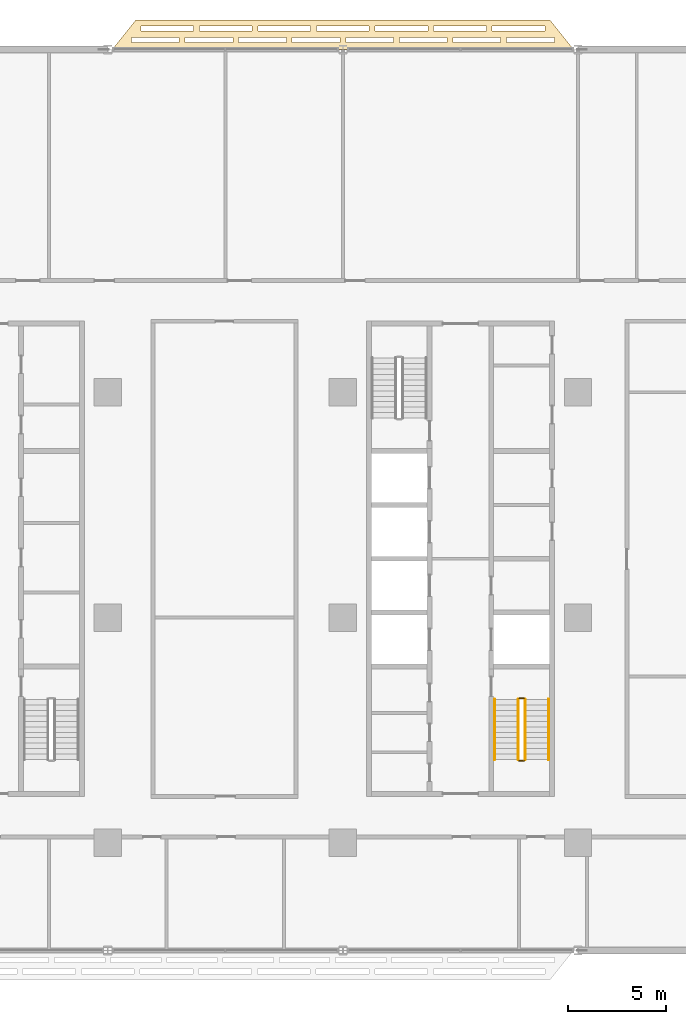
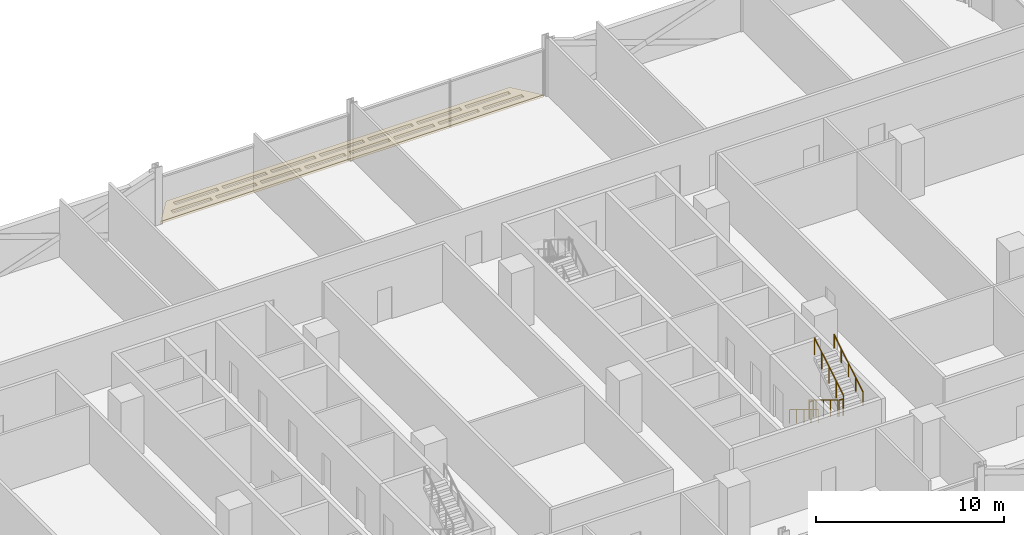
# One storey, part 28 of 29: 6 railings, 1 covering.
"""IFC4 building model written with IfcOpenShell, lengths in metres."""

from ifc_helpers import new_model, si_unit, direction, frame, origin, origin_2d, place, context, subcontext, project, spatial, polyline, circle, outline, extrude, material, layer, layer_set, type_object, element, save


model = new_model("IFC4")

# Units and contexts
model_context = context("Model", 3, precision=1e-05, world=origin(), true_north=direction((0.0, 1.0)))
body_context = subcontext(model_context, "Body", "Model", "MODEL_VIEW")
ifc_project = project(units=[si_unit("LENGTHUNIT", "METRE"), si_unit("AREAUNIT", "SQUARE_METRE"), si_unit("VOLUMEUNIT", "CUBIC_METRE"), si_unit("PLANEANGLEUNIT", "RADIAN"), si_unit("MASSUNIT", "GRAM", prefix="KILO")], contexts=[model_context])

# Site, building, storey
site_placement = place(None, origin())
site = spatial("IfcSite", under=ifc_project, at=site_placement, CompositionType="ELEMENT")
building_placement = place(site_placement, origin())
building = spatial("IfcBuilding", under=site, at=building_placement, Name="Mahtab Terrace Research Tower", CompositionType="ELEMENT")
storey_placement = place(building_placement, frame((0.0, 0.0, 93.0)))
storey = spatial("IfcBuildingStorey", under=building, at=storey_placement, Name="L21", CompositionType="ELEMENT", Elevation=93.0)

# Covering
ifc_material_1 = material(Name="Black anodised aluminium", Category="aluminium")
ifc_layer = layer(ifc_material_1, 0.14990234375)
ifc_layer_set = layer_set([ifc_layer], Name="Horizontal sunshade band")
covering_type = type_object("IfcCoveringType", Name="Horizontal sunshade band", PredefinedType="CLADDING", material=ifc_layer_set)
covering_placement = place(storey_placement, frame((0.0, 0.0, -0.14990234375)))
element("IfcCovering", 1, at=covering_placement, inside=storey, type_object=covering_type, Name="Sunshade band L21 5", PredefinedType="CLADDING", context=body_context, shape_type="SweptSolid", body=[
    extrude(outline(polyline([(29.77197265625, 29.0), (6.22802734375, 29.0), (7.427978515625, 30.5), (28.572021484375, 30.5), (29.77197265625, 29.0)]), holes=[polyline([(28.7919921875, 29.35009765625), (26.35595703125, 29.35009765625), (26.35595703125, 29.60009765625), (28.7919921875, 29.60009765625), (28.7919921875, 29.35009765625)]), polyline([(26.055908203125, 29.35009765625), (23.62109375, 29.35009765625), (23.62109375, 29.60009765625), (26.055908203125, 29.60009765625), (26.055908203125, 29.35009765625)]), polyline([(23.321044921875, 29.35009765625), (20.885009765625, 29.35009765625), (20.885009765625, 29.60009765625), (23.321044921875, 29.60009765625), (23.321044921875, 29.35009765625)]), polyline([(20.5849609375, 29.35009765625), (18.14990234375, 29.35009765625), (18.14990234375, 29.60009765625), (20.5849609375, 29.60009765625), (20.5849609375, 29.35009765625)]), polyline([(17.85009765625, 29.35009765625), (15.4150390625, 29.35009765625), (15.4150390625, 29.60009765625), (17.85009765625, 29.60009765625), (17.85009765625, 29.35009765625)]), polyline([(15.114013671875, 29.35009765625), (12.678955078125, 29.35009765625), (12.678955078125, 29.60009765625), (15.114013671875, 29.60009765625), (15.114013671875, 29.35009765625)]), polyline([(12.37890625, 29.35009765625), (9.944091796875, 29.35009765625), (9.944091796875, 29.60009765625), (12.37890625, 29.60009765625), (12.37890625, 29.35009765625)]), polyline([(9.64404296875, 29.35009765625), (7.2080078125, 29.35009765625), (7.2080078125, 29.60009765625), (9.64404296875, 29.60009765625), (9.64404296875, 29.35009765625)]), polyline([(28.31201171875, 29.949951171875), (25.623046875, 29.949951171875), (25.623046875, 30.199951171875), (28.31201171875, 30.199951171875), (28.31201171875, 29.949951171875)]), polyline([(25.322998046875, 29.949951171875), (22.634033203125, 29.949951171875), (22.634033203125, 30.199951171875), (25.322998046875, 30.199951171875), (25.322998046875, 29.949951171875)]), polyline([(22.333984375, 29.949951171875), (19.64501953125, 29.949951171875), (19.64501953125, 30.199951171875), (22.333984375, 30.199951171875), (22.333984375, 29.949951171875)]), polyline([(19.344970703125, 29.949951171875), (16.655029296875, 29.949951171875), (16.655029296875, 30.199951171875), (19.344970703125, 30.199951171875), (19.344970703125, 29.949951171875)]), polyline([(16.35498046875, 29.949951171875), (13.666015625, 29.949951171875), (13.666015625, 30.199951171875), (16.35498046875, 30.199951171875), (16.35498046875, 29.949951171875)]), polyline([(13.365966796875, 29.949951171875), (10.677001953125, 29.949951171875), (10.677001953125, 30.199951171875), (13.365966796875, 30.199951171875), (13.365966796875, 29.949951171875)]), polyline([(10.376953125, 29.949951171875), (7.68798828125, 29.949951171875), (7.68798828125, 30.199951171875), (10.376953125, 30.199951171875), (10.376953125, 29.949951171875)])]), origin(), (0.0, 0.0, 1.0), 0.14990234375),
])

# Railings
ifc_material_2 = material(Name="Stainless steel AISI 304", Category="steel")
railing_type_1 = type_object("IfcRailingType", Name="Stair guard 1100", PredefinedType="GUARDRAIL", material=ifc_material_2)
railing_1_placement = place(storey_placement, frame((26.949951171875, -4.175048828125, 0.1708984375)))
element("IfcRailing", 2, at=railing_1_placement, inside=storey, type_object=railing_type_1, Name="L21 ST4 stair guard 1", PredefinedType="GUARDRAIL", context=body_context, shape_type="SweptSolid", body=[
    extrude(circle(Radius=0.02392578125, at=origin_2d()), frame((0.0, 0.0, 1.076171875), z_axis=(0.0, -0.853647949592, 0.520850437417), x_axis=(1.0, 0.0, 0.0)), (0.0, 0.0, 1.0), 3.60791015625),
    extrude(circle(Radius=0.02099609375, at=origin_2d()), origin(), (0.0, 0.0, 1.0), 1.052001953125),
    extrude(circle(Radius=0.02099609375, at=origin_2d()), frame((0.0, -0.77001953125, 0.4697265625)), (0.0, 0.0, 1.0), 1.052001953125),
    extrude(circle(Radius=0.02099609375, at=origin_2d()), frame((0.0, -1.5400390625, 0.939453125)), (0.0, 0.0, 1.0), 1.052001953125),
    extrude(circle(Radius=0.02099609375, at=origin_2d()), frame((0.0, -2.309814453125, 1.409423828125)), (0.0, 0.0, 1.0), 1.052001953125),
    extrude(circle(Radius=0.02099609375, at=origin_2d()), frame((0.0, -3.079833984375, 1.879150390625)), (0.0, 0.0, 1.0), 1.052001953125),
])
railing_2_placement = place(storey_placement, frame((27.0, -7.304931640625, 2.050048828125)))
element("IfcRailing", 3, at=railing_2_placement, inside=storey, type_object=railing_type_1, Name="L21 ST4 stair guard 2", PredefinedType="GUARDRAIL", context=body_context, shape_type="SweptSolid", body=[
    extrude(circle(Radius=0.02392578125, at=origin_2d()), frame((0.0, 0.0, 1.076171875), z_axis=(1.0, 0.0, 0.0), x_axis=(0.0, 1.0, 0.0)), (0.0, 0.0, 1.0), 0.25),
    extrude(circle(Radius=0.02099609375, at=origin_2d()), origin(), (0.0, 0.0, 1.0), 1.052001953125),
    extrude(circle(Radius=0.02099609375, at=origin_2d()), frame((0.25, 0.0, 0.0)), (0.0, 0.0, 1.0), 1.052001953125),
])
railing_3_placement = place(storey_placement, frame((27.300048828125, -7.2548828125, 2.220947265625)))
element("IfcRailing", 4, at=railing_3_placement, inside=storey, type_object=railing_type_1, Name="L21 ST4 stair guard 3", PredefinedType="GUARDRAIL", context=body_context, shape_type="SweptSolid", body=[
    extrude(circle(Radius=0.02392578125, at=origin_2d()), frame((0.0, 0.0, 1.076171875), z_axis=(0.0, 0.853647949592, 0.520850437417), x_axis=(-1.0, 0.0, 0.0)), (0.0, 0.0, 1.0), 3.60791015625),
    extrude(circle(Radius=0.02099609375, at=origin_2d()), origin(), (0.0, 0.0, 1.0), 1.052001953125),
    extrude(circle(Radius=0.02099609375, at=origin_2d()), frame((0.0, 0.77001953125, 0.4697265625)), (0.0, 0.0, 1.0), 1.052001953125),
    extrude(circle(Radius=0.02099609375, at=origin_2d()), frame((0.0, 1.5400390625, 0.939453125)), (0.0, 0.0, 1.0), 1.052001953125),
    extrude(circle(Radius=0.02099609375, at=origin_2d()), frame((0.0, 2.309814453125, 1.409423828125)), (0.0, 0.0, 1.0), 1.052001953125),
    extrude(circle(Radius=0.02099609375, at=origin_2d()), frame((0.0, 3.079833984375, 1.879150390625)), (0.0, 0.0, 1.0), 1.052001953125),
])
railing_4_placement = place(storey_placement, frame((27.0, -4.125, 0.0)))
element("IfcRailing", 5, at=railing_4_placement, inside=storey, type_object=railing_type_1, Name="L21 ST4 stair guard 4", PredefinedType="GUARDRAIL", context=body_context, shape_type="SweptSolid", body=[
    extrude(circle(Radius=0.02392578125, at=origin_2d()), frame((0.0, 0.0, 1.076171875), z_axis=(1.0, 0.0, 0.0), x_axis=(0.0, 1.0, 0.0)), (0.0, 0.0, 1.0), 0.25),
    extrude(circle(Radius=0.02099609375, at=origin_2d()), origin(), (0.0, 0.0, 1.0), 1.052001953125),
    extrude(circle(Radius=0.02099609375, at=origin_2d()), frame((0.25, 0.0, 0.0)), (0.0, 0.0, 1.0), 1.052001953125),
])
railing_type_2 = type_object("IfcRailingType", Name="Stair handrail 900", PredefinedType="HANDRAIL", material=ifc_material_2)
railing_5_placement = place(storey_placement, frame((25.75, -4.175048828125, 0.1708984375)))
element("IfcRailing", 6, at=railing_5_placement, inside=storey, type_object=railing_type_2, Name="L21 ST4 stair handrail 1", PredefinedType="HANDRAIL", context=body_context, shape_type="SweptSolid", body=[
    extrude(circle(Radius=0.02392578125, at=origin_2d()), frame((0.0, 0.0, 0.8759765625), z_axis=(0.0, -0.853647949592, 0.520850437417), x_axis=(1.0, 0.0, 0.0)), (0.0, 0.0, 1.0), 3.60791015625),
    extrude(circle(Radius=0.02099609375, at=origin_2d()), origin(), (0.0, 0.0, 1.0), 0.851806640625),
    extrude(circle(Radius=0.02099609375, at=origin_2d()), frame((0.0, -0.77001953125, 0.4697265625)), (0.0, 0.0, 1.0), 0.851806640625),
    extrude(circle(Radius=0.02099609375, at=origin_2d()), frame((0.0, -1.5400390625, 0.939453125)), (0.0, 0.0, 1.0), 0.851806640625),
    extrude(circle(Radius=0.02099609375, at=origin_2d()), frame((0.0, -2.309814453125, 1.409423828125)), (0.0, 0.0, 1.0), 0.851806640625),
    extrude(circle(Radius=0.02099609375, at=origin_2d()), frame((0.0, -3.079833984375, 1.879150390625)), (0.0, 0.0, 1.0), 0.851806640625),
])
railing_6_placement = place(storey_placement, frame((28.5, -7.2548828125, 2.220947265625)))
element("IfcRailing", 7, at=railing_6_placement, inside=storey, type_object=railing_type_2, Name="L21 ST4 stair handrail 2", PredefinedType="HANDRAIL", context=body_context, shape_type="SweptSolid", body=[
    extrude(circle(Radius=0.02392578125, at=origin_2d()), frame((0.0, 0.0, 0.8759765625), z_axis=(0.0, 0.853647949592, 0.520850437417), x_axis=(-1.0, 0.0, 0.0)), (0.0, 0.0, 1.0), 3.60791015625),
    extrude(circle(Radius=0.02099609375, at=origin_2d()), origin(), (0.0, 0.0, 1.0), 0.851806640625),
    extrude(circle(Radius=0.02099609375, at=origin_2d()), frame((0.0, 0.77001953125, 0.4697265625)), (0.0, 0.0, 1.0), 0.851806640625),
    extrude(circle(Radius=0.02099609375, at=origin_2d()), frame((0.0, 1.5400390625, 0.939453125)), (0.0, 0.0, 1.0), 0.851806640625),
    extrude(circle(Radius=0.02099609375, at=origin_2d()), frame((0.0, 2.309814453125, 1.409423828125)), (0.0, 0.0, 1.0), 0.851806640625),
    extrude(circle(Radius=0.02099609375, at=origin_2d()), frame((0.0, 3.079833984375, 1.879150390625)), (0.0, 0.0, 1.0), 0.851806640625),
])

save(model, "model.ifc")
